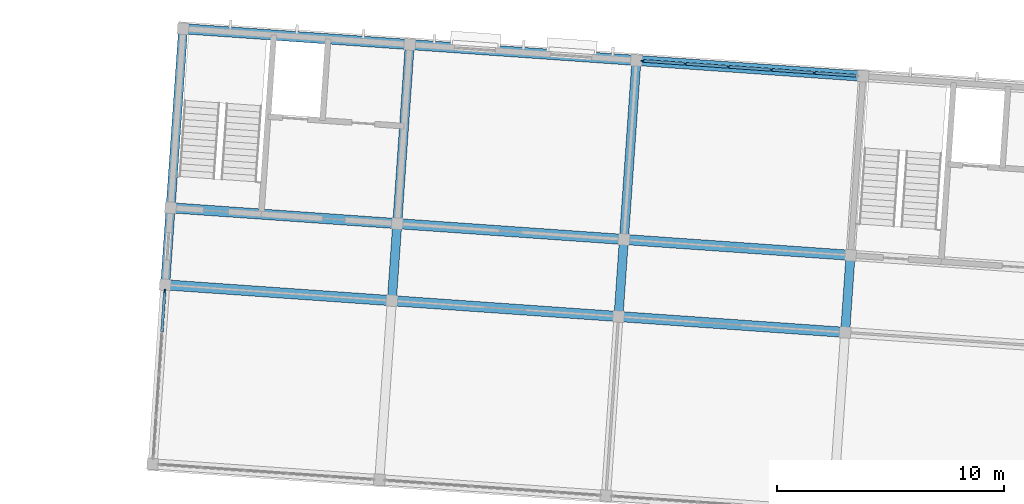
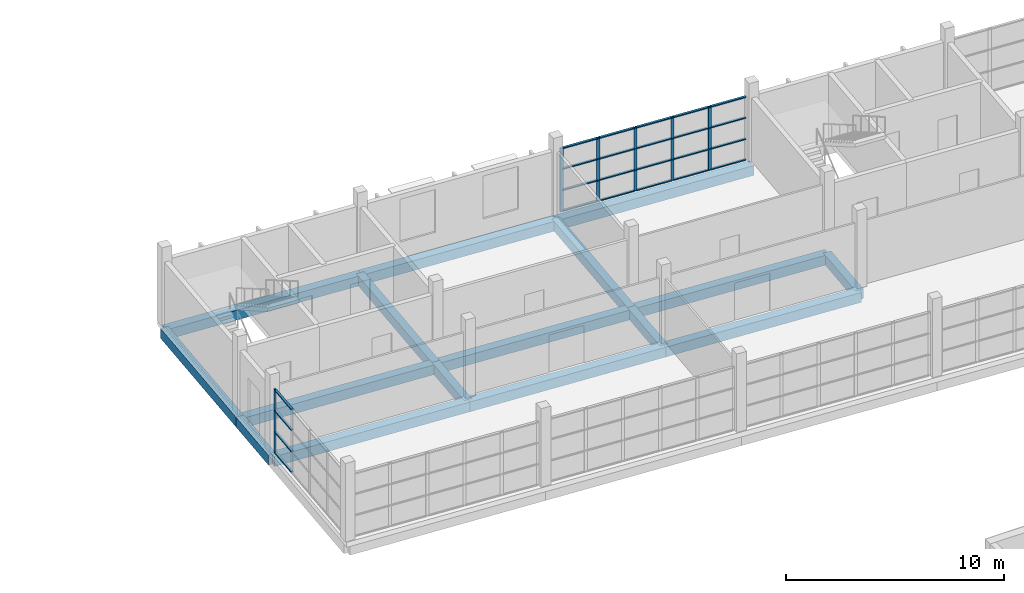
# One storey, part 21 of 50: 30 members, 16 beams, 2 elements without a shape of their own.
"""IFC4 building model written with IfcOpenShell, lengths in metres."""

from ifc_helpers import new_model, si_unit, direction, frame, origin, origin_2d, place, context, subcontext, project, spatial, rectangle, extrude, material, material_profile, profile_set, type_object, element, aggregate, save


model = new_model("IFC4")

# Units and contexts
model_context = context("Model", 3, precision=1e-05, world=origin(), true_north=direction((0.0, 1.0)))
body_context = subcontext(model_context, "Body", "Model", "MODEL_VIEW")
ifc_project = project(units=[si_unit("LENGTHUNIT", "METRE"), si_unit("AREAUNIT", "SQUARE_METRE"), si_unit("VOLUMEUNIT", "CUBIC_METRE"), si_unit("PLANEANGLEUNIT", "RADIAN"), si_unit("MASSUNIT", "GRAM", prefix="KILO")], contexts=[model_context])

# Site, building, storey
site_placement = place(None, origin())
site = spatial("IfcSite", under=ifc_project, at=site_placement, CompositionType="ELEMENT")
building_placement = place(site_placement, origin())
building = spatial("IfcBuilding", under=site, at=building_placement, Name="Windward Yard Aquatics Centre", CompositionType="ELEMENT")
storey_placement = place(building_placement, frame((0.0, 0.0, 18.199951171875)))
storey = spatial("IfcBuildingStorey", under=building, at=storey_placement, Name="L04", CompositionType="ELEMENT", Elevation=18.199951171875)

# Curtain wall, members
ifc_material_1 = material(Name="Aluminium curtain wall system", Category="aluminium")
curtain_wall_type = type_object("IfcCurtainWallType", Name="W curtain wall 1900", PredefinedType="NOTDEFINED", material=ifc_material_1)
curtain_wall_1_placement = place(storey_placement, origin())
curtain_wall_1 = element("IfcCurtainWall", 1, at=curtain_wall_1_placement, inside=storey, type_object=curtain_wall_type, Name="Wing north glazing L04 1", PredefinedType="NOTDEFINED")
ifc_material_2 = material(Name="Aluminium mullion", Category="aluminium")
ifc_material_profile_1 = material_profile(ifc_material_2, rectangle(XDim=0.06005859375, YDim=0.159912109375, at=origin_2d()), Name="AL 60x160")
ifc_profile_set_1 = profile_set([ifc_material_profile_1], Name="Aluminium mullion")
member_type_1 = type_object("IfcMemberType", Name="W CW mullion 60x160", PredefinedType="MULLION", material=ifc_profile_set_1)
member_1_placement = place(storey_placement, frame((139.408935546875, 133.906005859375, 0.0), z_axis=(0.0, 0.0, 1.0), x_axis=(0.06975831617, 0.997563921423, 0.0)))
member_1 = element("IfcMember", 2, at=member_1_placement, type_object=member_type_1, Name="WCW1 mullion 1", PredefinedType="MULLION", context=body_context, shape_type="SweptSolid", body=[
    extrude(rectangle(XDim=0.06005859375, YDim=0.159912109375, at=origin_2d()), origin(), (0.0, 0.0, 1.0), 3.570068359375),
])
member_2_placement = place(storey_placement, frame((141.274169921875, 133.775634765625, 0.0), z_axis=(0.0, 0.0, 1.0), x_axis=(0.06975831617, 0.997563921423, 0.0)))
member_2 = element("IfcMember", 3, at=member_2_placement, type_object=member_type_1, Name="WCW1 mullion 2", PredefinedType="MULLION", context=body_context, shape_type="SweptSolid", body=[
    extrude(rectangle(XDim=0.06005859375, YDim=0.159912109375, at=origin_2d()), origin(), (0.0, 0.0, 1.0), 3.570068359375),
])
member_3_placement = place(storey_placement, frame((143.169677734375, 133.64306640625, 0.0), z_axis=(0.0, 0.0, 1.0), x_axis=(0.06975831617, 0.997563921423, 0.0)))
member_3 = element("IfcMember", 4, at=member_3_placement, type_object=member_type_1, Name="WCW1 mullion 3", PredefinedType="MULLION", context=body_context, shape_type="SweptSolid", body=[
    extrude(rectangle(XDim=0.06005859375, YDim=0.159912109375, at=origin_2d()), origin(), (0.0, 0.0, 1.0), 3.570068359375),
])
member_4_placement = place(storey_placement, frame((145.06494140625, 133.510498046875, 0.0), z_axis=(0.0, 0.0, 1.0), x_axis=(0.06975831617, 0.997563921423, 0.0)))
member_4 = element("IfcMember", 5, at=member_4_placement, type_object=member_type_1, Name="WCW1 mullion 4", PredefinedType="MULLION", context=body_context, shape_type="SweptSolid", body=[
    extrude(rectangle(XDim=0.06005859375, YDim=0.159912109375, at=origin_2d()), origin(), (0.0, 0.0, 1.0), 3.570068359375),
])
member_5_placement = place(storey_placement, frame((146.96044921875, 133.3779296875, 0.0), z_axis=(0.0, 0.0, 1.0), x_axis=(0.06975831617, 0.997563921423, 0.0)))
member_5 = element("IfcMember", 6, at=member_5_placement, type_object=member_type_1, Name="WCW1 mullion 5", PredefinedType="MULLION", context=body_context, shape_type="SweptSolid", body=[
    extrude(rectangle(XDim=0.06005859375, YDim=0.159912109375, at=origin_2d()), origin(), (0.0, 0.0, 1.0), 3.570068359375),
])

# Curtain wall, member
curtain_wall_2_placement = place(storey_placement, origin())
curtain_wall_2 = element("IfcCurtainWall", 7, at=curtain_wall_2_placement, inside=storey, type_object=curtain_wall_type, Name="Wing west glazing L04 1", PredefinedType="NOTDEFINED")
member_6_placement = place(storey_placement, frame((118.370361328125, 123.76904296875, 0.0), z_axis=(0.0, 0.0, 1.0), x_axis=(-0.997564047681, 0.06975651062, 0.0)))
member_6 = element("IfcMember", 8, at=member_6_placement, type_object=member_type_1, Name="WCW1 mullion 5", PredefinedType="MULLION", context=body_context, shape_type="SweptSolid", body=[
    extrude(rectangle(XDim=0.06005859375, YDim=0.159912109375, at=origin_2d()), origin(), (0.0, 0.0, 1.0), 3.570068359375),
])

# Member
ifc_material_3 = material(Name="Aluminium transom", Category="aluminium")
ifc_material_profile_2 = material_profile(ifc_material_3, rectangle(XDim=0.1201171875, YDim=0.06005859375, at=origin_2d()), Name="AL 120x60")
ifc_profile_set_2 = profile_set([ifc_material_profile_2], Name="Aluminium transom")
member_type_2 = type_object("IfcMemberType", Name="W CW transom 120x60", PredefinedType="USERDEFINED", material=ifc_profile_set_2)
member_7_placement = place(storey_placement, frame((139.438720703125, 133.904052734375, 0.030029296875), z_axis=(0.997565727219, -0.069732487963, 0.0), x_axis=(0.069732487963, 0.997565727219, 0.0)))
member_7 = element("IfcMember", 9, at=member_7_placement, type_object=member_type_2, Name="WCW1 transom 1.1", ObjectType="TRANSOM", PredefinedType="USERDEFINED", context=body_context, shape_type="SweptSolid", body=[
    extrude(rectangle(XDim=0.1201171875, YDim=0.06005859375, at=origin_2d()), origin(), (0.0, 0.0, 1.0), 1.81005859375),
])

member_8_placement = place(storey_placement, frame((139.438720703125, 133.904052734375, 1.18994140625), z_axis=(0.997565727219, -0.069732487963, 0.0), x_axis=(0.069732487963, 0.997565727219, 0.0)))
member_8 = element("IfcMember", 10, at=member_8_placement, type_object=member_type_2, Name="WCW1 transom 1.2", ObjectType="TRANSOM", PredefinedType="USERDEFINED", context=body_context, shape_type="SweptSolid", body=[
    extrude(rectangle(XDim=0.1201171875, YDim=0.06005859375, at=origin_2d()), origin(), (0.0, 0.0, 1.0), 1.81005859375),
])

member_9_placement = place(storey_placement, frame((139.438720703125, 133.904052734375, 2.380126953125), z_axis=(0.997565727219, -0.069732487963, 0.0), x_axis=(0.069732487963, 0.997565727219, 0.0)))
member_9 = element("IfcMember", 11, at=member_9_placement, type_object=member_type_2, Name="WCW1 transom 1.3", ObjectType="TRANSOM", PredefinedType="USERDEFINED", context=body_context, shape_type="SweptSolid", body=[
    extrude(rectangle(XDim=0.1201171875, YDim=0.06005859375, at=origin_2d()), origin(), (0.0, 0.0, 1.0), 1.81005859375),
])

member_10_placement = place(storey_placement, frame((139.438720703125, 133.904052734375, 3.5400390625), z_axis=(0.997565727219, -0.069732487963, 0.0), x_axis=(0.069732487963, 0.997565727219, 0.0)))
member_10 = element("IfcMember", 12, at=member_10_placement, type_object=member_type_2, Name="WCW1 transom 1.4", ObjectType="TRANSOM", PredefinedType="USERDEFINED", context=body_context, shape_type="SweptSolid", body=[
    extrude(rectangle(XDim=0.1201171875, YDim=0.06005859375, at=origin_2d()), origin(), (0.0, 0.0, 1.0), 1.81005859375),
])

member_11_placement = place(storey_placement, frame((141.30419921875, 133.773681640625, 0.030029296875), z_axis=(0.997561369728, -0.069794796552, 0.0), x_axis=(0.069794796552, 0.997561369728, 0.0)))
member_11 = element("IfcMember", 13, at=member_11_placement, type_object=member_type_2, Name="WCW1 transom 2.1", ObjectType="TRANSOM", PredefinedType="USERDEFINED", context=body_context, shape_type="SweptSolid", body=[
    extrude(rectangle(XDim=0.1201171875, YDim=0.06005859375, at=origin_2d()), origin(), (0.0, 0.0, 1.0), 1.83984375),
])

member_12_placement = place(storey_placement, frame((141.30419921875, 133.773681640625, 1.18994140625), z_axis=(0.997561369728, -0.069794796552, 0.0), x_axis=(0.069794796552, 0.997561369728, 0.0)))
member_12 = element("IfcMember", 14, at=member_12_placement, type_object=member_type_2, Name="WCW1 transom 2.2", ObjectType="TRANSOM", PredefinedType="USERDEFINED", context=body_context, shape_type="SweptSolid", body=[
    extrude(rectangle(XDim=0.1201171875, YDim=0.06005859375, at=origin_2d()), origin(), (0.0, 0.0, 1.0), 1.83984375),
])

member_13_placement = place(storey_placement, frame((141.30419921875, 133.773681640625, 2.380126953125), z_axis=(0.997561369728, -0.069794796552, 0.0), x_axis=(0.069794796552, 0.997561369728, 0.0)))
member_13 = element("IfcMember", 15, at=member_13_placement, type_object=member_type_2, Name="WCW1 transom 2.3", ObjectType="TRANSOM", PredefinedType="USERDEFINED", context=body_context, shape_type="SweptSolid", body=[
    extrude(rectangle(XDim=0.1201171875, YDim=0.06005859375, at=origin_2d()), origin(), (0.0, 0.0, 1.0), 1.83984375),
])

member_14_placement = place(storey_placement, frame((141.30419921875, 133.773681640625, 3.5400390625), z_axis=(0.997561369728, -0.069794796552, 0.0), x_axis=(0.069794796552, 0.997561369728, 0.0)))
member_14 = element("IfcMember", 16, at=member_14_placement, type_object=member_type_2, Name="WCW1 transom 2.4", ObjectType="TRANSOM", PredefinedType="USERDEFINED", context=body_context, shape_type="SweptSolid", body=[
    extrude(rectangle(XDim=0.1201171875, YDim=0.06005859375, at=origin_2d()), origin(), (0.0, 0.0, 1.0), 1.83984375),
])

member_15_placement = place(storey_placement, frame((143.199462890625, 133.64111328125, 0.030029296875), z_axis=(0.997562015973, -0.069785559303, 0.0), x_axis=(0.069785559303, 0.997562015973, 0.0)))
member_15 = element("IfcMember", 17, at=member_15_placement, type_object=member_type_2, Name="WCW1 transom 3.1", ObjectType="TRANSOM", PredefinedType="USERDEFINED", context=body_context, shape_type="SweptSolid", body=[
    extrude(rectangle(XDim=0.1201171875, YDim=0.06005859375, at=origin_2d()), origin(), (0.0, 0.0, 1.0), 1.840087890625),
])

member_16_placement = place(storey_placement, frame((143.199462890625, 133.64111328125, 1.18994140625), z_axis=(0.997562015973, -0.069785559303, 0.0), x_axis=(0.069785559303, 0.997562015973, 0.0)))
member_16 = element("IfcMember", 18, at=member_16_placement, type_object=member_type_2, Name="WCW1 transom 3.2", ObjectType="TRANSOM", PredefinedType="USERDEFINED", context=body_context, shape_type="SweptSolid", body=[
    extrude(rectangle(XDim=0.1201171875, YDim=0.06005859375, at=origin_2d()), origin(), (0.0, 0.0, 1.0), 1.840087890625),
])

member_17_placement = place(storey_placement, frame((143.199462890625, 133.64111328125, 2.380126953125), z_axis=(0.997562015973, -0.069785559303, 0.0), x_axis=(0.069785559303, 0.997562015973, 0.0)))
member_17 = element("IfcMember", 19, at=member_17_placement, type_object=member_type_2, Name="WCW1 transom 3.3", ObjectType="TRANSOM", PredefinedType="USERDEFINED", context=body_context, shape_type="SweptSolid", body=[
    extrude(rectangle(XDim=0.1201171875, YDim=0.06005859375, at=origin_2d()), origin(), (0.0, 0.0, 1.0), 1.840087890625),
])

member_18_placement = place(storey_placement, frame((143.199462890625, 133.64111328125, 3.5400390625), z_axis=(0.997562015973, -0.069785559303, 0.0), x_axis=(0.069785559303, 0.997562015973, 0.0)))
member_18 = element("IfcMember", 20, at=member_18_placement, type_object=member_type_2, Name="WCW1 transom 3.4", ObjectType="TRANSOM", PredefinedType="USERDEFINED", context=body_context, shape_type="SweptSolid", body=[
    extrude(rectangle(XDim=0.1201171875, YDim=0.06005859375, at=origin_2d()), origin(), (0.0, 0.0, 1.0), 1.840087890625),
])

member_19_placement = place(storey_placement, frame((145.094970703125, 133.508544921875, 0.030029296875), z_axis=(0.997561369728, -0.069794796552, 0.0), x_axis=(0.069794796552, 0.997561369728, 0.0)))
member_19 = element("IfcMember", 21, at=member_19_placement, type_object=member_type_2, Name="WCW1 transom 4.1", ObjectType="TRANSOM", PredefinedType="USERDEFINED", context=body_context, shape_type="SweptSolid", body=[
    extrude(rectangle(XDim=0.1201171875, YDim=0.06005859375, at=origin_2d()), origin(), (0.0, 0.0, 1.0), 1.83984375),
])

member_20_placement = place(storey_placement, frame((145.094970703125, 133.508544921875, 1.18994140625), z_axis=(0.997561369728, -0.069794796552, 0.0), x_axis=(0.069794796552, 0.997561369728, 0.0)))
member_20 = element("IfcMember", 22, at=member_20_placement, type_object=member_type_2, Name="WCW1 transom 4.2", ObjectType="TRANSOM", PredefinedType="USERDEFINED", context=body_context, shape_type="SweptSolid", body=[
    extrude(rectangle(XDim=0.1201171875, YDim=0.06005859375, at=origin_2d()), origin(), (0.0, 0.0, 1.0), 1.83984375),
])

member_21_placement = place(storey_placement, frame((145.094970703125, 133.508544921875, 2.380126953125), z_axis=(0.997561369728, -0.069794796552, 0.0), x_axis=(0.069794796552, 0.997561369728, 0.0)))
member_21 = element("IfcMember", 23, at=member_21_placement, type_object=member_type_2, Name="WCW1 transom 4.3", ObjectType="TRANSOM", PredefinedType="USERDEFINED", context=body_context, shape_type="SweptSolid", body=[
    extrude(rectangle(XDim=0.1201171875, YDim=0.06005859375, at=origin_2d()), origin(), (0.0, 0.0, 1.0), 1.83984375),
])

member_22_placement = place(storey_placement, frame((145.094970703125, 133.508544921875, 3.5400390625), z_axis=(0.997561369728, -0.069794796552, 0.0), x_axis=(0.069794796552, 0.997561369728, 0.0)))
member_22 = element("IfcMember", 24, at=member_22_placement, type_object=member_type_2, Name="WCW1 transom 4.4", ObjectType="TRANSOM", PredefinedType="USERDEFINED", context=body_context, shape_type="SweptSolid", body=[
    extrude(rectangle(XDim=0.1201171875, YDim=0.06005859375, at=origin_2d()), origin(), (0.0, 0.0, 1.0), 1.83984375),
])

member_23_placement = place(storey_placement, frame((146.990234375, 133.3759765625, 0.030029296875), z_axis=(0.997565727219, -0.069732487963, 0.0), x_axis=(0.069732487963, 0.997565727219, 0.0)))
member_23 = element("IfcMember", 25, at=member_23_placement, type_object=member_type_2, Name="WCW1 transom 5.1", ObjectType="TRANSOM", PredefinedType="USERDEFINED", context=body_context, shape_type="SweptSolid", body=[
    extrude(rectangle(XDim=0.1201171875, YDim=0.06005859375, at=origin_2d()), origin(), (0.0, 0.0, 1.0), 1.81005859375),
])

member_24_placement = place(storey_placement, frame((146.990234375, 133.3759765625, 1.18994140625), z_axis=(0.997565727219, -0.069732487963, 0.0), x_axis=(0.069732487963, 0.997565727219, 0.0)))
member_24 = element("IfcMember", 26, at=member_24_placement, type_object=member_type_2, Name="WCW1 transom 5.2", ObjectType="TRANSOM", PredefinedType="USERDEFINED", context=body_context, shape_type="SweptSolid", body=[
    extrude(rectangle(XDim=0.1201171875, YDim=0.06005859375, at=origin_2d()), origin(), (0.0, 0.0, 1.0), 1.81005859375),
])

member_25_placement = place(storey_placement, frame((146.990234375, 133.3759765625, 2.380126953125), z_axis=(0.997565727219, -0.069732487963, 0.0), x_axis=(0.069732487963, 0.997565727219, 0.0)))
member_25 = element("IfcMember", 27, at=member_25_placement, type_object=member_type_2, Name="WCW1 transom 5.3", ObjectType="TRANSOM", PredefinedType="USERDEFINED", context=body_context, shape_type="SweptSolid", body=[
    extrude(rectangle(XDim=0.1201171875, YDim=0.06005859375, at=origin_2d()), origin(), (0.0, 0.0, 1.0), 1.81005859375),
])

member_26_placement = place(storey_placement, frame((146.990234375, 133.3759765625, 3.5400390625), z_axis=(0.997565727219, -0.069732487963, 0.0), x_axis=(0.069732487963, 0.997565727219, 0.0)))
member_26 = element("IfcMember", 28, at=member_26_placement, type_object=member_type_2, Name="WCW1 transom 5.4", ObjectType="TRANSOM", PredefinedType="USERDEFINED", context=body_context, shape_type="SweptSolid", body=[
    extrude(rectangle(XDim=0.1201171875, YDim=0.06005859375, at=origin_2d()), origin(), (0.0, 0.0, 1.0), 1.81005859375),
])

aggregate(curtain_wall_1, [member_1, member_2, member_3, member_4, member_5, member_7, member_8, member_9, member_10, member_11, member_12, member_13, member_14, member_15, member_16, member_17, member_18, member_19, member_20, member_21, member_22, member_23, member_24, member_25, member_26])

member_27_placement = place(storey_placement, frame((118.24560546875, 121.9833984375, 0.030029296875), z_axis=(0.069778050098, 0.99756254126, 0.0), x_axis=(-0.99756254126, 0.069778050098, 0.0)))
member_27 = element("IfcMember", 29, at=member_27_placement, type_object=member_type_2, Name="WCW1 transom 4.1", ObjectType="TRANSOM", PredefinedType="USERDEFINED", context=body_context, shape_type="SweptSolid", body=[
    extrude(rectangle(XDim=0.1201171875, YDim=0.06005859375, at=origin_2d()), origin(), (0.0, 0.0, 1.0), 1.760009765625),
])

member_28_placement = place(storey_placement, frame((118.24560546875, 121.9833984375, 1.18994140625), z_axis=(0.069778050098, 0.99756254126, 0.0), x_axis=(-0.99756254126, 0.069778050098, 0.0)))
member_28 = element("IfcMember", 30, at=member_28_placement, type_object=member_type_2, Name="WCW1 transom 4.2", ObjectType="TRANSOM", PredefinedType="USERDEFINED", context=body_context, shape_type="SweptSolid", body=[
    extrude(rectangle(XDim=0.1201171875, YDim=0.06005859375, at=origin_2d()), origin(), (0.0, 0.0, 1.0), 1.760009765625),
])

member_29_placement = place(storey_placement, frame((118.24560546875, 121.9833984375, 2.380126953125), z_axis=(0.069778050098, 0.99756254126, 0.0), x_axis=(-0.99756254126, 0.069778050098, 0.0)))
member_29 = element("IfcMember", 31, at=member_29_placement, type_object=member_type_2, Name="WCW1 transom 4.3", ObjectType="TRANSOM", PredefinedType="USERDEFINED", context=body_context, shape_type="SweptSolid", body=[
    extrude(rectangle(XDim=0.1201171875, YDim=0.06005859375, at=origin_2d()), origin(), (0.0, 0.0, 1.0), 1.760009765625),
])

member_30_placement = place(storey_placement, frame((118.24560546875, 121.9833984375, 3.5400390625), z_axis=(0.069778050098, 0.99756254126, 0.0), x_axis=(-0.99756254126, 0.069778050098, 0.0)))
member_30 = element("IfcMember", 32, at=member_30_placement, type_object=member_type_2, Name="WCW1 transom 4.4", ObjectType="TRANSOM", PredefinedType="USERDEFINED", context=body_context, shape_type="SweptSolid", body=[
    extrude(rectangle(XDim=0.1201171875, YDim=0.06005859375, at=origin_2d()), origin(), (0.0, 0.0, 1.0), 1.760009765625),
])

aggregate(curtain_wall_2, [member_6, member_27, member_28, member_29, member_30])

# Beams
ifc_material_4 = material(Name="Concrete C40/50", Category="concrete")
ifc_material_profile_3 = material_profile(ifc_material_4, rectangle(XDim=0.39990234375, YDim=0.550048828125, at=origin_2d()), Name="RC 400x550")
ifc_profile_set_3 = profile_set([ifc_material_profile_3], Name="Concrete C40/50")
beam_type_1 = type_object("IfcBeamType", Name="W RC 400x550 beam Concrete C40/50", PredefinedType="BEAM", material=ifc_profile_set_3)
beam_1_placement = place(storey_placement, frame((118.389892578125, 124.04833984375, -0.554931640625), z_axis=(0.069797686069, 0.997561167558, 0.0), x_axis=(-0.997561167558, 0.069797686069, 0.0)))
element("IfcBeam", 33, at=beam_1_placement, inside=storey, type_object=beam_type_1, Name="W.BV.L04.2.B", PredefinedType="BEAM", context=body_context, shape_type="SweptSolid", body=[
    extrude(rectangle(XDim=0.39990234375, YDim=0.550048828125, at=origin_2d()), origin(), (0.0, 0.0, 1.0), 3.39990234375),
])
beam_2_placement = place(storey_placement, frame((118.627197265625, 127.43994140625, -0.554931640625), z_axis=(0.0697491702, 0.997564560947, 0.0), x_axis=(-0.997564560947, 0.0697491702, 0.0)))
element("IfcBeam", 34, at=beam_2_placement, inside=storey, type_object=beam_type_1, Name="W.BV.L04.2.C", PredefinedType="BEAM", context=body_context, shape_type="SweptSolid", body=[
    extrude(rectangle(XDim=0.39990234375, YDim=0.550048828125, at=origin_2d()), origin(), (0.0, 0.0, 1.0), 7.900146484375),
])
beam_3_placement = place(storey_placement, frame((128.365478515625, 123.3505859375, -0.554931640625), z_axis=(0.069792686595, 0.99756151735, 0.0), x_axis=(-0.99756151735, 0.069792686595, 0.0)))
element("IfcBeam", 35, at=beam_3_placement, inside=storey, type_object=beam_type_1, Name="W.BV.L04.3.B", PredefinedType="BEAM", context=body_context, shape_type="SweptSolid", body=[
    extrude(rectangle(XDim=0.39990234375, YDim=0.550048828125, at=origin_2d()), origin(), (0.0, 0.0, 1.0), 3.400146484375),
])
beam_4_placement = place(storey_placement, frame((128.602783203125, 126.742431640625, -0.554931640625), z_axis=(0.0697491702, 0.997564560947, 0.0), x_axis=(-0.997564560947, 0.0697491702, 0.0)))
element("IfcBeam", 36, at=beam_4_placement, inside=storey, type_object=beam_type_1, Name="W.BV.L04.3.C", PredefinedType="BEAM", context=body_context, shape_type="SweptSolid", body=[
    extrude(rectangle(XDim=0.39990234375, YDim=0.550048828125, at=origin_2d()), origin(), (0.0, 0.0, 1.0), 7.900146484375),
])
beam_5_placement = place(storey_placement, frame((138.34130859375, 122.6533203125, -0.554931640625), z_axis=(0.069726227042, 0.997566164854, 0.0), x_axis=(-0.997566164854, 0.069726227042, 0.0)))
element("IfcBeam", 37, at=beam_5_placement, inside=storey, type_object=beam_type_1, Name="W.BV.L04.4.B", PredefinedType="BEAM", context=body_context, shape_type="SweptSolid", body=[
    extrude(rectangle(XDim=0.39990234375, YDim=0.550048828125, at=origin_2d()), origin(), (0.0, 0.0, 1.0), 3.39990234375),
])
beam_6_placement = place(storey_placement, frame((138.578369140625, 126.044921875, -0.554931640625), z_axis=(0.069751320509, 0.997564410596, 0.0), x_axis=(-0.997564410596, 0.069751320509, 0.0)))
element("IfcBeam", 38, at=beam_6_placement, inside=storey, type_object=beam_type_1, Name="W.BV.L04.4.C", PredefinedType="BEAM", context=body_context, shape_type="SweptSolid", body=[
    extrude(rectangle(XDim=0.39990234375, YDim=0.550048828125, at=origin_2d()), origin(), (0.0, 0.0, 1.0), 7.89990234375),
])
beam_7_placement = place(storey_placement, frame((148.31689453125, 121.95556640625, -0.554931640625), z_axis=(0.069721232637, 0.997566513933, 0.0), x_axis=(-0.997566513933, 0.069721232637, 0.0)))
element("IfcBeam", 39, at=beam_7_placement, inside=storey, type_object=beam_type_1, Name="W.BV.L04.5.B", PredefinedType="BEAM", context=body_context, shape_type="SweptSolid", body=[
    extrude(rectangle(XDim=0.39990234375, YDim=0.550048828125, at=origin_2d()), origin(), (0.0, 0.0, 1.0), 3.400146484375),
])
ifc_material_profile_4 = material_profile(ifc_material_4, rectangle(XDim=0.449951171875, YDim=0.550048828125, at=origin_2d()), Name="RC 450x550")
ifc_profile_set_4 = profile_set([ifc_material_profile_4], Name="Concrete C40/50")
beam_type_2 = type_object("IfcBeamType", Name="W RC 450x550 beam Concrete C40/50", PredefinedType="BEAM", material=ifc_profile_set_4)
beam_8_placement = place(storey_placement, frame((118.389892578125, 124.04833984375, -0.554931640625), z_axis=(0.997562707158, -0.069775678342, 0.0), x_axis=(0.069775678342, 0.997562707158, 0.0)))
element("IfcBeam", 40, at=beam_8_placement, inside=storey, type_object=beam_type_2, Name="W.BU.L04.2.2", PredefinedType="BEAM", context=body_context, shape_type="SweptSolid", body=[
    extrude(rectangle(XDim=0.449951171875, YDim=0.550048828125, at=origin_2d()), origin(), (0.0, 0.0, 1.0), 10.0),
])
beam_9_placement = place(storey_placement, frame((128.365478515625, 123.3505859375, -0.554931640625), z_axis=(0.997566223406, -0.069725389346, 0.0), x_axis=(0.069725389346, 0.997566223406, 0.0)))
element("IfcBeam", 41, at=beam_9_placement, inside=storey, type_object=beam_type_2, Name="W.BU.L04.2.3", PredefinedType="BEAM", context=body_context, shape_type="SweptSolid", body=[
    extrude(rectangle(XDim=0.449951171875, YDim=0.550048828125, at=origin_2d()), origin(), (0.0, 0.0, 1.0), 10.000244140625),
])
for number, where, z_axis, x_axis, name in (
    (42, (138.34130859375, 122.6533203125, -0.554931640625), (0.997562707158, -0.069775678342, 0.0), (0.069775678342, 0.997562707158, 0.0), "W.BU.L04.2.4"),
    (43, (118.627197265625, 127.43994140625, -0.554931640625), (0.997564406228, -0.069751382981, 0.0), (0.069751382981, 0.997564406228, 0.0), "W.BU.L04.3.2"),
    (44, (128.602783203125, 126.742431640625, -0.554931640625), (0.997564406228, -0.069751382981, 0.0), (0.069751382981, 0.997564406228, 0.0), "W.BU.L04.3.3"),
    (45, (138.578369140625, 126.044921875, -0.554931640625), (0.997564406228, -0.069751382981, 0.0), (0.069751382981, 0.997564406228, 0.0), "W.BU.L04.3.4"),
    (46, (119.17822265625, 135.32080078125, -0.554931640625), (0.997564406228, -0.069751382981, 0.0), (0.069751382981, 0.997564406228, 0.0), "W.BU.L04.4.2"),
    (47, (129.15380859375, 134.623291015625, -0.554931640625), (0.997562707158, -0.069775678342, 0.0), (0.069775678342, 0.997562707158, 0.0), "W.BU.L04.4.3"),
    (48, (139.12939453125, 133.925537109375, -0.554931640625), (0.997564406228, -0.069751382981, 0.0), (0.069751382981, 0.997564406228, 0.0), "W.BU.L04.4.4"),
):
    element("IfcBeam", number, at=place(storey_placement, frame(where, z_axis=z_axis, x_axis=x_axis)), inside=storey, type_object=beam_type_2, Name=name, PredefinedType="BEAM", context=body_context, shape_type="SweptSolid", body=[
        extrude(rectangle(XDim=0.449951171875, YDim=0.550048828125, at=origin_2d()), origin(), (0.0, 0.0, 1.0), 10.0),
    ])

save(model, "model.ifc")
